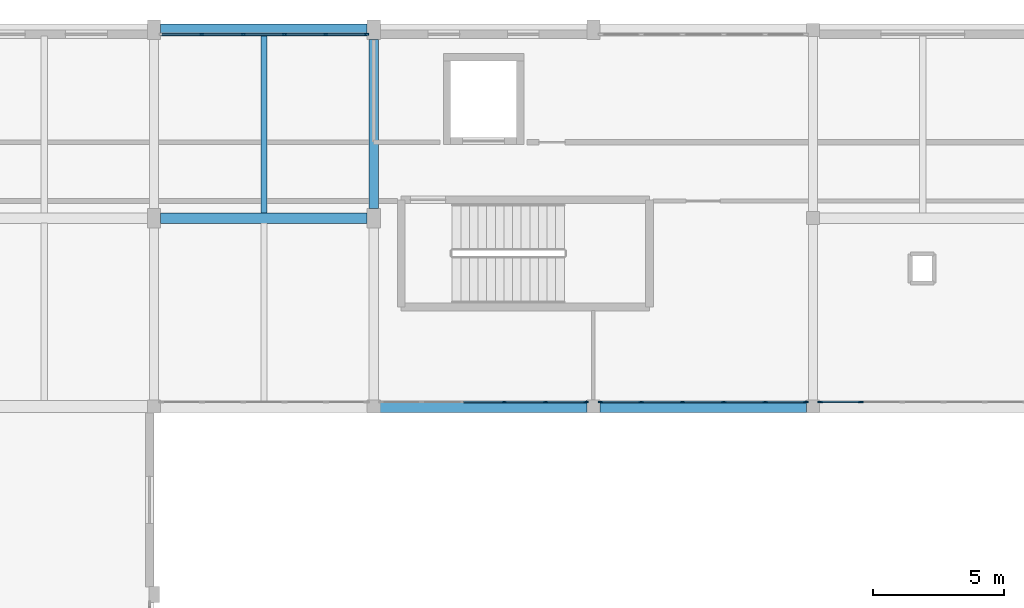
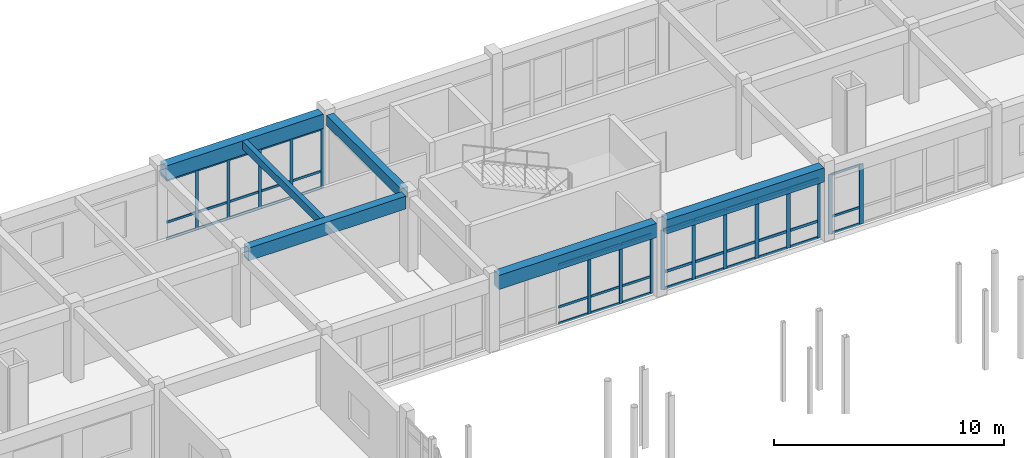
# One storey, part 49 of 89: 58 members, 6 beams, 4 elements without a shape of their own.
"""IFC4 building model written with IfcOpenShell, lengths in metres."""

from ifc_helpers import new_model, si_unit, direction, frame, origin, origin_2d, place, context, subcontext, project, spatial, rectangle, extrude, material, material_profile, profile_set, type_object, element, aggregate, save


model = new_model("IFC4")

# Units and contexts
model_context = context("Model", 3, precision=1e-05, world=origin(), true_north=direction((0.0, 1.0)))
body_context = subcontext(model_context, "Body", "Model", "MODEL_VIEW")
ifc_project = project(units=[si_unit("LENGTHUNIT", "METRE"), si_unit("AREAUNIT", "SQUARE_METRE"), si_unit("VOLUMEUNIT", "CUBIC_METRE"), si_unit("PLANEANGLEUNIT", "RADIAN"), si_unit("MASSUNIT", "GRAM", prefix="KILO")], contexts=[model_context])

# Site, building, storey
site_placement = place(None, origin())
site = spatial("IfcSite", under=ifc_project, at=site_placement, CompositionType="ELEMENT")
building_placement = place(site_placement, origin())
building = spatial("IfcBuilding", under=site, at=building_placement, Name="Malvenik Polytechnic", CompositionType="ELEMENT")
storey_placement = place(building_placement, frame((0.0, 0.0, 13.5)))
storey = spatial("IfcBuildingStorey", under=building, at=storey_placement, Name="L03", CompositionType="ELEMENT", Elevation=13.5)

# Curtain wall, members
ifc_material_1 = material(Name="Anodised aluminium 6060-T6", Category="aluminium")
curtain_wall_type = type_object("IfcCurtainWallType", Name="ARC-CW-CW-02", PredefinedType="NOTDEFINED", material=ifc_material_1)
curtain_wall_1_placement = place(storey_placement, origin())
curtain_wall_1 = element("IfcCurtainWall", 1, at=curtain_wall_1_placement, inside=storey, type_object=curtain_wall_type, Name="Unitised Curtain Wall CW-02 L03 #179", PredefinedType="NOTDEFINED")
ifc_material_2 = material(Name="Anodised aluminium", Category="aluminium")
ifc_material_profile_1 = material_profile(ifc_material_2, rectangle(XDim=0.06005859375, YDim=0.159912109375, at=origin_2d()), Name="ALU MULLION 60x160")
ifc_profile_set_1 = profile_set([ifc_material_profile_1], Name="Anodised aluminium")
member_type_1 = type_object("IfcMemberType", Name="ARC-CWM-160", PredefinedType="MULLION", material=ifc_profile_set_1)
member_1_placement = place(storey_placement, frame((85.828857421875, 129.429931640625, 0.0), z_axis=(0.0, 0.0, 1.0), x_axis=(0.0, 1.0, 0.0)))
member_1 = element("IfcMember", 2, at=member_1_placement, type_object=member_type_1, Name="CW-02 mullion 2", PredefinedType="MULLION", context=body_context, shape_type="SweptSolid", body=[
    extrude(rectangle(XDim=0.06005859375, YDim=0.159912109375, at=origin_2d()), origin(), (0.0, 0.0, 1.0), 3.159912109375),
])
member_2_placement = place(storey_placement, frame((87.40966796875, 129.429931640625, 0.0), z_axis=(0.0, 0.0, 1.0), x_axis=(0.0, 1.0, 0.0)))
member_2 = element("IfcMember", 3, at=member_2_placement, type_object=member_type_1, Name="CW-02 mullion 3", PredefinedType="MULLION", context=body_context, shape_type="SweptSolid", body=[
    extrude(rectangle(XDim=0.06005859375, YDim=0.159912109375, at=origin_2d()), origin(), (0.0, 0.0, 1.0), 3.159912109375),
])
member_3_placement = place(storey_placement, frame((88.990478515625, 129.429931640625, 0.0), z_axis=(0.0, 0.0, 1.0), x_axis=(0.0, 1.0, 0.0)))
member_3 = element("IfcMember", 4, at=member_3_placement, type_object=member_type_1, Name="CW-02 mullion 4", PredefinedType="MULLION", context=body_context, shape_type="SweptSolid", body=[
    extrude(rectangle(XDim=0.06005859375, YDim=0.159912109375, at=origin_2d()), origin(), (0.0, 0.0, 1.0), 3.159912109375),
])
member_4_placement = place(storey_placement, frame((90.5712890625, 129.429931640625, 0.0), z_axis=(0.0, 0.0, 1.0), x_axis=(0.0, 1.0, 0.0)))
member_4 = element("IfcMember", 5, at=member_4_placement, type_object=member_type_1, Name="CW-02 mullion 5", PredefinedType="MULLION", context=body_context, shape_type="SweptSolid", body=[
    extrude(rectangle(XDim=0.06005859375, YDim=0.159912109375, at=origin_2d()), origin(), (0.0, 0.0, 1.0), 3.159912109375),
])
member_5_placement = place(storey_placement, frame((92.1220703125, 129.429931640625, 0.0), z_axis=(0.0, 0.0, 1.0), x_axis=(0.0, 1.0, 0.0)))
member_5 = element("IfcMember", 6, at=member_5_placement, type_object=member_type_1, Name="CW-02 mullion 6", PredefinedType="MULLION", context=body_context, shape_type="SweptSolid", body=[
    extrude(rectangle(XDim=0.06005859375, YDim=0.159912109375, at=origin_2d()), origin(), (0.0, 0.0, 1.0), 3.159912109375),
])

curtain_wall_2_placement = place(storey_placement, origin())
curtain_wall_2 = element("IfcCurtainWall", 7, at=curtain_wall_2_placement, inside=storey, type_object=curtain_wall_type, Name="Unitised Curtain Wall CW-02 L03 #185", PredefinedType="NOTDEFINED")
member_6_placement = place(storey_placement, frame((100.52197265625, 115.3701171875, 0.0), z_axis=(0.0, 0.0, 1.0), x_axis=(0.0, -1.0, 0.0)))
member_6 = element("IfcMember", 8, at=member_6_placement, type_object=member_type_1, Name="CW-02 mullion 1", PredefinedType="MULLION", context=body_context, shape_type="SweptSolid", body=[
    extrude(rectangle(XDim=0.06005859375, YDim=0.159912109375, at=origin_2d()), origin(), (0.0, 0.0, 1.0), 3.159912109375),
])
member_7_placement = place(storey_placement, frame((98.97119140625, 115.3701171875, 0.0), z_axis=(0.0, 0.0, 1.0), x_axis=(0.0, -1.0, 0.0)))
member_7 = element("IfcMember", 9, at=member_7_placement, type_object=member_type_1, Name="CW-02 mullion 2", PredefinedType="MULLION", context=body_context, shape_type="SweptSolid", body=[
    extrude(rectangle(XDim=0.06005859375, YDim=0.159912109375, at=origin_2d()), origin(), (0.0, 0.0, 1.0), 3.159912109375),
])
member_8_placement = place(storey_placement, frame((97.390380859375, 115.3701171875, 0.0), z_axis=(0.0, 0.0, 1.0), x_axis=(0.0, -1.0, 0.0)))
member_8 = element("IfcMember", 10, at=member_8_placement, type_object=member_type_1, Name="CW-02 mullion 3", PredefinedType="MULLION", context=body_context, shape_type="SweptSolid", body=[
    extrude(rectangle(XDim=0.06005859375, YDim=0.159912109375, at=origin_2d()), origin(), (0.0, 0.0, 1.0), 3.159912109375),
])

curtain_wall_3_placement = place(storey_placement, origin())
curtain_wall_3 = element("IfcCurtainWall", 11, at=curtain_wall_3_placement, inside=storey, type_object=curtain_wall_type, Name="Unitised Curtain Wall CW-02 L03 #184", PredefinedType="NOTDEFINED")
ifc_material_profile_2 = material_profile(ifc_material_2, rectangle(XDim=0.06005859375, YDim=0.179931640625, at=origin_2d()), Name="ALU MULLION 60x180")
ifc_profile_set_2 = profile_set([ifc_material_profile_2], Name="Anodised aluminium")
member_type_2 = type_object("IfcMemberType", Name="ARC-CWM-180", PredefinedType="MULLION", material=ifc_profile_set_2)
member_9_placement = place(storey_placement, frame((108.922119140625, 115.3701171875, 0.0), z_axis=(0.0, 0.0, 1.0), x_axis=(0.0, -1.0, 0.0)))
member_9 = element("IfcMember", 12, at=member_9_placement, type_object=member_type_2, Name="CW-02 mullion 1", PredefinedType="MULLION", context=body_context, shape_type="SweptSolid", body=[
    extrude(rectangle(XDim=0.06005859375, YDim=0.179931640625, at=origin_2d()), origin(), (0.0, 0.0, 1.0), 3.159912109375),
])
member_10_placement = place(storey_placement, frame((107.37109375, 115.3701171875, 0.0), z_axis=(0.0, 0.0, 1.0), x_axis=(0.0, -1.0, 0.0)))
member_10 = element("IfcMember", 13, at=member_10_placement, type_object=member_type_2, Name="CW-02 mullion 2", PredefinedType="MULLION", context=body_context, shape_type="SweptSolid", body=[
    extrude(rectangle(XDim=0.06005859375, YDim=0.179931640625, at=origin_2d()), origin(), (0.0, 0.0, 1.0), 3.159912109375),
])
member_11_placement = place(storey_placement, frame((105.790283203125, 115.3701171875, 0.0), z_axis=(0.0, 0.0, 1.0), x_axis=(0.0, -1.0, 0.0)))
member_11 = element("IfcMember", 14, at=member_11_placement, type_object=member_type_2, Name="CW-02 mullion 3", PredefinedType="MULLION", context=body_context, shape_type="SweptSolid", body=[
    extrude(rectangle(XDim=0.06005859375, YDim=0.179931640625, at=origin_2d()), origin(), (0.0, 0.0, 1.0), 3.159912109375),
])
member_12_placement = place(storey_placement, frame((104.209716796875, 115.3701171875, 0.0), z_axis=(0.0, 0.0, 1.0), x_axis=(0.0, -1.0, 0.0)))
member_12 = element("IfcMember", 15, at=member_12_placement, type_object=member_type_2, Name="CW-02 mullion 4", PredefinedType="MULLION", context=body_context, shape_type="SweptSolid", body=[
    extrude(rectangle(XDim=0.06005859375, YDim=0.179931640625, at=origin_2d()), origin(), (0.0, 0.0, 1.0), 3.159912109375),
])
member_13_placement = place(storey_placement, frame((102.62890625, 115.3701171875, 0.0), z_axis=(0.0, 0.0, 1.0), x_axis=(0.0, -1.0, 0.0)))
member_13 = element("IfcMember", 16, at=member_13_placement, type_object=member_type_2, Name="CW-02 mullion 5", PredefinedType="MULLION", context=body_context, shape_type="SweptSolid", body=[
    extrude(rectangle(XDim=0.06005859375, YDim=0.179931640625, at=origin_2d()), origin(), (0.0, 0.0, 1.0), 3.159912109375),
])
member_14_placement = place(storey_placement, frame((101.077880859375, 115.3701171875, 0.0), z_axis=(0.0, 0.0, 1.0), x_axis=(0.0, -1.0, 0.0)))
member_14 = element("IfcMember", 17, at=member_14_placement, type_object=member_type_2, Name="CW-02 mullion 6", PredefinedType="MULLION", context=body_context, shape_type="SweptSolid", body=[
    extrude(rectangle(XDim=0.06005859375, YDim=0.179931640625, at=origin_2d()), origin(), (0.0, 0.0, 1.0), 3.159912109375),
])

curtain_wall_4_placement = place(storey_placement, origin())
curtain_wall_4 = element("IfcCurtainWall", 18, at=curtain_wall_4_placement, inside=storey, type_object=curtain_wall_type, Name="Unitised Curtain Wall CW-02 L03 #183", PredefinedType="NOTDEFINED")
ifc_material_profile_3 = material_profile(ifc_material_2, rectangle(XDim=0.06005859375, YDim=0.199951171875, at=origin_2d()), Name="ALU MULLION 60x200")
ifc_profile_set_3 = profile_set([ifc_material_profile_3], Name="Anodised aluminium")
member_type_3 = type_object("IfcMemberType", Name="ARC-CWM-200", PredefinedType="MULLION", material=ifc_profile_set_3)
member_15_placement = place(storey_placement, frame((111.02880859375, 115.3701171875, 0.0), z_axis=(0.0, 0.0, 1.0), x_axis=(0.0, -1.0, 0.0)))
member_15 = element("IfcMember", 19, at=member_15_placement, type_object=member_type_3, Name="CW-02 mullion 5", PredefinedType="MULLION", context=body_context, shape_type="SweptSolid", body=[
    extrude(rectangle(XDim=0.06005859375, YDim=0.199951171875, at=origin_2d()), origin(), (0.0, 0.0, 1.0), 3.159912109375),
])
member_16_placement = place(storey_placement, frame((109.47802734375, 115.3701171875, 0.0), z_axis=(0.0, 0.0, 1.0), x_axis=(0.0, -1.0, 0.0)))
member_16 = element("IfcMember", 20, at=member_16_placement, type_object=member_type_3, Name="CW-02 mullion 6", PredefinedType="MULLION", context=body_context, shape_type="SweptSolid", body=[
    extrude(rectangle(XDim=0.06005859375, YDim=0.199951171875, at=origin_2d()), origin(), (0.0, 0.0, 1.0), 3.159912109375),
])

# Member
ifc_material_profile_4 = material_profile(ifc_material_2, rectangle(XDim=0.06005859375, YDim=0.1201171875, at=origin_2d()), Name="ALU TRANSOM 60x120")
ifc_profile_set_4 = profile_set([ifc_material_profile_4], Name="Anodised aluminium")
member_type_4 = type_object("IfcMemberType", Name="ARC-CWT-120", PredefinedType="USERDEFINED", material=ifc_profile_set_4)
member_17_placement = place(storey_placement, frame((84.30810546875, 129.429931640625, 0.030029296875), z_axis=(1.0, 0.0, 0.0), x_axis=(0.0, 1.0, 0.0)))
member_17 = element("IfcMember", 21, at=member_17_placement, type_object=member_type_4, Name="CW-02 transom 1.1", ObjectType="TRANSOM", PredefinedType="USERDEFINED", context=body_context, shape_type="SweptSolid", body=[
    extrude(rectangle(XDim=0.06005859375, YDim=0.1201171875, at=origin_2d()), origin(), (0.0, 0.0, 1.0), 1.49072265625),
])

member_18_placement = place(storey_placement, frame((84.30810546875, 129.429931640625, 0.89990234375), z_axis=(1.0, 0.0, 0.0), x_axis=(0.0, 1.0, 0.0)))
member_18 = element("IfcMember", 22, at=member_18_placement, type_object=member_type_4, Name="CW-02 transom 1.2", ObjectType="TRANSOM", PredefinedType="USERDEFINED", context=body_context, shape_type="SweptSolid", body=[
    extrude(rectangle(XDim=0.06005859375, YDim=0.1201171875, at=origin_2d()), origin(), (0.0, 0.0, 1.0), 1.49072265625),
])

member_19_placement = place(storey_placement, frame((84.30810546875, 129.429931640625, 3.1298828125), z_axis=(1.0, 0.0, 0.0), x_axis=(0.0, 1.0, 0.0)))
member_19 = element("IfcMember", 23, at=member_19_placement, type_object=member_type_4, Name="CW-02 transom 1.3", ObjectType="TRANSOM", PredefinedType="USERDEFINED", context=body_context, shape_type="SweptSolid", body=[
    extrude(rectangle(XDim=0.06005859375, YDim=0.1201171875, at=origin_2d()), origin(), (0.0, 0.0, 1.0), 1.49072265625),
])

member_20_placement = place(storey_placement, frame((85.85888671875, 129.429931640625, 0.030029296875), z_axis=(1.0, 0.0, 0.0), x_axis=(0.0, 1.0, 0.0)))
member_20 = element("IfcMember", 24, at=member_20_placement, type_object=member_type_4, Name="CW-02 transom 2.1", ObjectType="TRANSOM", PredefinedType="USERDEFINED", context=body_context, shape_type="SweptSolid", body=[
    extrude(rectangle(XDim=0.06005859375, YDim=0.1201171875, at=origin_2d()), origin(), (0.0, 0.0, 1.0), 1.520751953125),
])

member_21_placement = place(storey_placement, frame((85.85888671875, 129.429931640625, 0.89990234375), z_axis=(1.0, 0.0, 0.0), x_axis=(0.0, 1.0, 0.0)))
member_21 = element("IfcMember", 25, at=member_21_placement, type_object=member_type_4, Name="CW-02 transom 2.2", ObjectType="TRANSOM", PredefinedType="USERDEFINED", context=body_context, shape_type="SweptSolid", body=[
    extrude(rectangle(XDim=0.06005859375, YDim=0.1201171875, at=origin_2d()), origin(), (0.0, 0.0, 1.0), 1.520751953125),
])

member_22_placement = place(storey_placement, frame((85.85888671875, 129.429931640625, 3.1298828125), z_axis=(1.0, 0.0, 0.0), x_axis=(0.0, 1.0, 0.0)))
member_22 = element("IfcMember", 26, at=member_22_placement, type_object=member_type_4, Name="CW-02 transom 2.3", ObjectType="TRANSOM", PredefinedType="USERDEFINED", context=body_context, shape_type="SweptSolid", body=[
    extrude(rectangle(XDim=0.06005859375, YDim=0.1201171875, at=origin_2d()), origin(), (0.0, 0.0, 1.0), 1.520751953125),
])

member_23_placement = place(storey_placement, frame((87.439697265625, 129.429931640625, 0.030029296875), z_axis=(1.0, 0.0, 0.0), x_axis=(0.0, 1.0, 0.0)))
member_23 = element("IfcMember", 27, at=member_23_placement, type_object=member_type_4, Name="CW-02 transom 3.1", ObjectType="TRANSOM", PredefinedType="USERDEFINED", context=body_context, shape_type="SweptSolid", body=[
    extrude(rectangle(XDim=0.06005859375, YDim=0.1201171875, at=origin_2d()), origin(), (0.0, 0.0, 1.0), 1.520751953125),
])

member_24_placement = place(storey_placement, frame((87.439697265625, 129.429931640625, 0.89990234375), z_axis=(1.0, 0.0, 0.0), x_axis=(0.0, 1.0, 0.0)))
member_24 = element("IfcMember", 28, at=member_24_placement, type_object=member_type_4, Name="CW-02 transom 3.2", ObjectType="TRANSOM", PredefinedType="USERDEFINED", context=body_context, shape_type="SweptSolid", body=[
    extrude(rectangle(XDim=0.06005859375, YDim=0.1201171875, at=origin_2d()), origin(), (0.0, 0.0, 1.0), 1.520751953125),
])

member_25_placement = place(storey_placement, frame((87.439697265625, 129.429931640625, 3.1298828125), z_axis=(1.0, 0.0, 0.0), x_axis=(0.0, 1.0, 0.0)))
member_25 = element("IfcMember", 29, at=member_25_placement, type_object=member_type_4, Name="CW-02 transom 3.3", ObjectType="TRANSOM", PredefinedType="USERDEFINED", context=body_context, shape_type="SweptSolid", body=[
    extrude(rectangle(XDim=0.06005859375, YDim=0.1201171875, at=origin_2d()), origin(), (0.0, 0.0, 1.0), 1.520751953125),
])

member_26_placement = place(storey_placement, frame((89.0205078125, 129.429931640625, 0.030029296875), z_axis=(1.0, 0.0, 0.0), x_axis=(0.0, 1.0, 0.0)))
member_26 = element("IfcMember", 30, at=member_26_placement, type_object=member_type_4, Name="CW-02 transom 4.1", ObjectType="TRANSOM", PredefinedType="USERDEFINED", context=body_context, shape_type="SweptSolid", body=[
    extrude(rectangle(XDim=0.06005859375, YDim=0.1201171875, at=origin_2d()), origin(), (0.0, 0.0, 1.0), 1.520751953125),
])

member_27_placement = place(storey_placement, frame((89.0205078125, 129.429931640625, 0.89990234375), z_axis=(1.0, 0.0, 0.0), x_axis=(0.0, 1.0, 0.0)))
member_27 = element("IfcMember", 31, at=member_27_placement, type_object=member_type_4, Name="CW-02 transom 4.2", ObjectType="TRANSOM", PredefinedType="USERDEFINED", context=body_context, shape_type="SweptSolid", body=[
    extrude(rectangle(XDim=0.06005859375, YDim=0.1201171875, at=origin_2d()), origin(), (0.0, 0.0, 1.0), 1.520751953125),
])

member_28_placement = place(storey_placement, frame((89.0205078125, 129.429931640625, 3.1298828125), z_axis=(1.0, 0.0, 0.0), x_axis=(0.0, 1.0, 0.0)))
member_28 = element("IfcMember", 32, at=member_28_placement, type_object=member_type_4, Name="CW-02 transom 4.3", ObjectType="TRANSOM", PredefinedType="USERDEFINED", context=body_context, shape_type="SweptSolid", body=[
    extrude(rectangle(XDim=0.06005859375, YDim=0.1201171875, at=origin_2d()), origin(), (0.0, 0.0, 1.0), 1.520751953125),
])

member_29_placement = place(storey_placement, frame((90.601318359375, 129.429931640625, 0.030029296875), z_axis=(1.0, 0.0, 0.0), x_axis=(0.0, 1.0, 0.0)))
member_29 = element("IfcMember", 33, at=member_29_placement, type_object=member_type_4, Name="CW-02 transom 5.1", ObjectType="TRANSOM", PredefinedType="USERDEFINED", context=body_context, shape_type="SweptSolid", body=[
    extrude(rectangle(XDim=0.06005859375, YDim=0.1201171875, at=origin_2d()), origin(), (0.0, 0.0, 1.0), 1.49072265625),
])

member_30_placement = place(storey_placement, frame((90.601318359375, 129.429931640625, 0.89990234375), z_axis=(1.0, 0.0, 0.0), x_axis=(0.0, 1.0, 0.0)))
member_30 = element("IfcMember", 34, at=member_30_placement, type_object=member_type_4, Name="CW-02 transom 5.2", ObjectType="TRANSOM", PredefinedType="USERDEFINED", context=body_context, shape_type="SweptSolid", body=[
    extrude(rectangle(XDim=0.06005859375, YDim=0.1201171875, at=origin_2d()), origin(), (0.0, 0.0, 1.0), 1.49072265625),
])

member_31_placement = place(storey_placement, frame((90.601318359375, 129.429931640625, 3.1298828125), z_axis=(1.0, 0.0, 0.0), x_axis=(0.0, 1.0, 0.0)))
member_31 = element("IfcMember", 35, at=member_31_placement, type_object=member_type_4, Name="CW-02 transom 5.3", ObjectType="TRANSOM", PredefinedType="USERDEFINED", context=body_context, shape_type="SweptSolid", body=[
    extrude(rectangle(XDim=0.06005859375, YDim=0.1201171875, at=origin_2d()), origin(), (0.0, 0.0, 1.0), 1.49072265625),
])

aggregate(curtain_wall_1, [member_1, member_2, member_3, member_4, member_5, member_17, member_18, member_19, member_20, member_21, member_22, member_23, member_24, member_25, member_26, member_27, member_28, member_29, member_30, member_31])

member_32_placement = place(storey_placement, frame((110.998779296875, 115.3701171875, 0.030029296875), z_axis=(-1.0, 0.0, 0.0), x_axis=(0.0, -1.0, 0.0)))
member_32 = element("IfcMember", 36, at=member_32_placement, type_object=member_type_4, Name="CW-02 transom 5.1", ObjectType="TRANSOM", PredefinedType="USERDEFINED", context=body_context, shape_type="SweptSolid", body=[
    extrude(rectangle(XDim=0.06005859375, YDim=0.1201171875, at=origin_2d()), origin(), (0.0, 0.0, 1.0), 1.49072265625),
])

member_33_placement = place(storey_placement, frame((110.998779296875, 115.3701171875, 0.89990234375), z_axis=(-1.0, 0.0, 0.0), x_axis=(0.0, -1.0, 0.0)))
member_33 = element("IfcMember", 37, at=member_33_placement, type_object=member_type_4, Name="CW-02 transom 5.2", ObjectType="TRANSOM", PredefinedType="USERDEFINED", context=body_context, shape_type="SweptSolid", body=[
    extrude(rectangle(XDim=0.06005859375, YDim=0.1201171875, at=origin_2d()), origin(), (0.0, 0.0, 1.0), 1.49072265625),
])

member_34_placement = place(storey_placement, frame((110.998779296875, 115.3701171875, 3.1298828125), z_axis=(-1.0, 0.0, 0.0), x_axis=(0.0, -1.0, 0.0)))
member_34 = element("IfcMember", 38, at=member_34_placement, type_object=member_type_4, Name="CW-02 transom 5.3", ObjectType="TRANSOM", PredefinedType="USERDEFINED", context=body_context, shape_type="SweptSolid", body=[
    extrude(rectangle(XDim=0.06005859375, YDim=0.1201171875, at=origin_2d()), origin(), (0.0, 0.0, 1.0), 1.49072265625),
])

aggregate(curtain_wall_4, [member_15, member_16, member_32, member_33, member_34])

member_35_placement = place(storey_placement, frame((100.491943359375, 115.3701171875, 0.030029296875), z_axis=(-1.0, 0.0, 0.0), x_axis=(0.0, -1.0, 0.0)))
member_35 = element("IfcMember", 39, at=member_35_placement, type_object=member_type_4, Name="CW-02 transom 1.1", ObjectType="TRANSOM", PredefinedType="USERDEFINED", context=body_context, shape_type="SweptSolid", body=[
    extrude(rectangle(XDim=0.06005859375, YDim=0.1201171875, at=origin_2d()), origin(), (0.0, 0.0, 1.0), 1.49072265625),
])

member_36_placement = place(storey_placement, frame((100.491943359375, 115.3701171875, 0.89990234375), z_axis=(-1.0, 0.0, 0.0), x_axis=(0.0, -1.0, 0.0)))
member_36 = element("IfcMember", 40, at=member_36_placement, type_object=member_type_4, Name="CW-02 transom 1.2", ObjectType="TRANSOM", PredefinedType="USERDEFINED", context=body_context, shape_type="SweptSolid", body=[
    extrude(rectangle(XDim=0.06005859375, YDim=0.1201171875, at=origin_2d()), origin(), (0.0, 0.0, 1.0), 1.49072265625),
])

member_37_placement = place(storey_placement, frame((100.491943359375, 115.3701171875, 3.1298828125), z_axis=(-1.0, 0.0, 0.0), x_axis=(0.0, -1.0, 0.0)))
member_37 = element("IfcMember", 41, at=member_37_placement, type_object=member_type_4, Name="CW-02 transom 1.3", ObjectType="TRANSOM", PredefinedType="USERDEFINED", context=body_context, shape_type="SweptSolid", body=[
    extrude(rectangle(XDim=0.06005859375, YDim=0.1201171875, at=origin_2d()), origin(), (0.0, 0.0, 1.0), 1.49072265625),
])

member_38_placement = place(storey_placement, frame((98.941162109375, 115.3701171875, 0.030029296875), z_axis=(-1.0, 0.0, 0.0), x_axis=(0.0, -1.0, 0.0)))
member_38 = element("IfcMember", 42, at=member_38_placement, type_object=member_type_4, Name="CW-02 transom 2.1", ObjectType="TRANSOM", PredefinedType="USERDEFINED", context=body_context, shape_type="SweptSolid", body=[
    extrude(rectangle(XDim=0.06005859375, YDim=0.1201171875, at=origin_2d()), origin(), (0.0, 0.0, 1.0), 1.520751953125),
])

member_39_placement = place(storey_placement, frame((98.941162109375, 115.3701171875, 0.89990234375), z_axis=(-1.0, 0.0, 0.0), x_axis=(0.0, -1.0, 0.0)))
member_39 = element("IfcMember", 43, at=member_39_placement, type_object=member_type_4, Name="CW-02 transom 2.2", ObjectType="TRANSOM", PredefinedType="USERDEFINED", context=body_context, shape_type="SweptSolid", body=[
    extrude(rectangle(XDim=0.06005859375, YDim=0.1201171875, at=origin_2d()), origin(), (0.0, 0.0, 1.0), 1.520751953125),
])

member_40_placement = place(storey_placement, frame((98.941162109375, 115.3701171875, 3.1298828125), z_axis=(-1.0, 0.0, 0.0), x_axis=(0.0, -1.0, 0.0)))
member_40 = element("IfcMember", 44, at=member_40_placement, type_object=member_type_4, Name="CW-02 transom 2.3", ObjectType="TRANSOM", PredefinedType="USERDEFINED", context=body_context, shape_type="SweptSolid", body=[
    extrude(rectangle(XDim=0.06005859375, YDim=0.1201171875, at=origin_2d()), origin(), (0.0, 0.0, 1.0), 1.520751953125),
])

member_41_placement = place(storey_placement, frame((97.3603515625, 115.3701171875, 0.030029296875), z_axis=(-1.0, 0.0, 0.0), x_axis=(0.0, -1.0, 0.0)))
member_41 = element("IfcMember", 45, at=member_41_placement, type_object=member_type_4, Name="CW-02 transom 3.1", ObjectType="TRANSOM", PredefinedType="USERDEFINED", context=body_context, shape_type="SweptSolid", body=[
    extrude(rectangle(XDim=0.06005859375, YDim=0.1201171875, at=origin_2d()), origin(), (0.0, 0.0, 1.0), 1.520751953125),
])

member_42_placement = place(storey_placement, frame((97.3603515625, 115.3701171875, 0.89990234375), z_axis=(-1.0, 0.0, 0.0), x_axis=(0.0, -1.0, 0.0)))
member_42 = element("IfcMember", 46, at=member_42_placement, type_object=member_type_4, Name="CW-02 transom 3.2", ObjectType="TRANSOM", PredefinedType="USERDEFINED", context=body_context, shape_type="SweptSolid", body=[
    extrude(rectangle(XDim=0.06005859375, YDim=0.1201171875, at=origin_2d()), origin(), (0.0, 0.0, 1.0), 1.520751953125),
])

member_43_placement = place(storey_placement, frame((97.3603515625, 115.3701171875, 3.1298828125), z_axis=(-1.0, 0.0, 0.0), x_axis=(0.0, -1.0, 0.0)))
member_43 = element("IfcMember", 47, at=member_43_placement, type_object=member_type_4, Name="CW-02 transom 3.3", ObjectType="TRANSOM", PredefinedType="USERDEFINED", context=body_context, shape_type="SweptSolid", body=[
    extrude(rectangle(XDim=0.06005859375, YDim=0.1201171875, at=origin_2d()), origin(), (0.0, 0.0, 1.0), 1.520751953125),
])

aggregate(curtain_wall_2, [member_6, member_7, member_8, member_35, member_36, member_37, member_38, member_39, member_40, member_41, member_42, member_43])

ifc_material_profile_5 = material_profile(ifc_material_2, rectangle(XDim=0.06005859375, YDim=0.139892578125, at=origin_2d()), Name="ALU TRANSOM 60x140")
ifc_profile_set_5 = profile_set([ifc_material_profile_5], Name="Anodised aluminium")
member_type_5 = type_object("IfcMemberType", Name="ARC-CWT-140", PredefinedType="USERDEFINED", material=ifc_profile_set_5)
member_44_placement = place(storey_placement, frame((108.89208984375, 115.3701171875, 0.030029296875), z_axis=(-1.0, 0.0, 0.0), x_axis=(0.0, -1.0, 0.0)))
member_44 = element("IfcMember", 48, at=member_44_placement, type_object=member_type_5, Name="CW-02 transom 1.1", ObjectType="TRANSOM", PredefinedType="USERDEFINED", context=body_context, shape_type="SweptSolid", body=[
    extrude(rectangle(XDim=0.06005859375, YDim=0.139892578125, at=origin_2d()), origin(), (0.0, 0.0, 1.0), 1.490966796875),
])

member_45_placement = place(storey_placement, frame((108.89208984375, 115.3701171875, 0.89990234375), z_axis=(-1.0, 0.0, 0.0), x_axis=(0.0, -1.0, 0.0)))
member_45 = element("IfcMember", 49, at=member_45_placement, type_object=member_type_5, Name="CW-02 transom 1.2", ObjectType="TRANSOM", PredefinedType="USERDEFINED", context=body_context, shape_type="SweptSolid", body=[
    extrude(rectangle(XDim=0.06005859375, YDim=0.139892578125, at=origin_2d()), origin(), (0.0, 0.0, 1.0), 1.490966796875),
])

member_46_placement = place(storey_placement, frame((108.89208984375, 115.3701171875, 3.1298828125), z_axis=(-1.0, 0.0, 0.0), x_axis=(0.0, -1.0, 0.0)))
member_46 = element("IfcMember", 50, at=member_46_placement, type_object=member_type_5, Name="CW-02 transom 1.3", ObjectType="TRANSOM", PredefinedType="USERDEFINED", context=body_context, shape_type="SweptSolid", body=[
    extrude(rectangle(XDim=0.06005859375, YDim=0.139892578125, at=origin_2d()), origin(), (0.0, 0.0, 1.0), 1.490966796875),
])

member_47_placement = place(storey_placement, frame((107.34130859375, 115.3701171875, 0.030029296875), z_axis=(-1.0, 0.0, 0.0), x_axis=(0.0, -1.0, 0.0)))
member_47 = element("IfcMember", 51, at=member_47_placement, type_object=member_type_5, Name="CW-02 transom 2.1", ObjectType="TRANSOM", PredefinedType="USERDEFINED", context=body_context, shape_type="SweptSolid", body=[
    extrude(rectangle(XDim=0.06005859375, YDim=0.139892578125, at=origin_2d()), origin(), (0.0, 0.0, 1.0), 1.52099609375),
])

member_48_placement = place(storey_placement, frame((107.34130859375, 115.3701171875, 0.89990234375), z_axis=(-1.0, 0.0, 0.0), x_axis=(0.0, -1.0, 0.0)))
member_48 = element("IfcMember", 52, at=member_48_placement, type_object=member_type_5, Name="CW-02 transom 2.2", ObjectType="TRANSOM", PredefinedType="USERDEFINED", context=body_context, shape_type="SweptSolid", body=[
    extrude(rectangle(XDim=0.06005859375, YDim=0.139892578125, at=origin_2d()), origin(), (0.0, 0.0, 1.0), 1.52099609375),
])

member_49_placement = place(storey_placement, frame((107.34130859375, 115.3701171875, 3.1298828125), z_axis=(-1.0, 0.0, 0.0), x_axis=(0.0, -1.0, 0.0)))
member_49 = element("IfcMember", 53, at=member_49_placement, type_object=member_type_5, Name="CW-02 transom 2.3", ObjectType="TRANSOM", PredefinedType="USERDEFINED", context=body_context, shape_type="SweptSolid", body=[
    extrude(rectangle(XDim=0.06005859375, YDim=0.139892578125, at=origin_2d()), origin(), (0.0, 0.0, 1.0), 1.52099609375),
])

member_50_placement = place(storey_placement, frame((105.760498046875, 115.3701171875, 0.030029296875), z_axis=(-1.0, 0.0, 0.0), x_axis=(0.0, -1.0, 0.0)))
member_50 = element("IfcMember", 54, at=member_50_placement, type_object=member_type_5, Name="CW-02 transom 3.1", ObjectType="TRANSOM", PredefinedType="USERDEFINED", context=body_context, shape_type="SweptSolid", body=[
    extrude(rectangle(XDim=0.06005859375, YDim=0.139892578125, at=origin_2d()), origin(), (0.0, 0.0, 1.0), 1.52099609375),
])

member_51_placement = place(storey_placement, frame((105.760498046875, 115.3701171875, 0.89990234375), z_axis=(-1.0, 0.0, 0.0), x_axis=(0.0, -1.0, 0.0)))
member_51 = element("IfcMember", 55, at=member_51_placement, type_object=member_type_5, Name="CW-02 transom 3.2", ObjectType="TRANSOM", PredefinedType="USERDEFINED", context=body_context, shape_type="SweptSolid", body=[
    extrude(rectangle(XDim=0.06005859375, YDim=0.139892578125, at=origin_2d()), origin(), (0.0, 0.0, 1.0), 1.52099609375),
])

member_52_placement = place(storey_placement, frame((105.760498046875, 115.3701171875, 3.1298828125), z_axis=(-1.0, 0.0, 0.0), x_axis=(0.0, -1.0, 0.0)))
member_52 = element("IfcMember", 56, at=member_52_placement, type_object=member_type_5, Name="CW-02 transom 3.3", ObjectType="TRANSOM", PredefinedType="USERDEFINED", context=body_context, shape_type="SweptSolid", body=[
    extrude(rectangle(XDim=0.06005859375, YDim=0.139892578125, at=origin_2d()), origin(), (0.0, 0.0, 1.0), 1.52099609375),
])

member_53_placement = place(storey_placement, frame((104.1796875, 115.3701171875, 0.030029296875), z_axis=(-1.0, 0.0, 0.0), x_axis=(0.0, -1.0, 0.0)))
member_53 = element("IfcMember", 57, at=member_53_placement, type_object=member_type_5, Name="CW-02 transom 4.1", ObjectType="TRANSOM", PredefinedType="USERDEFINED", context=body_context, shape_type="SweptSolid", body=[
    extrude(rectangle(XDim=0.06005859375, YDim=0.139892578125, at=origin_2d()), origin(), (0.0, 0.0, 1.0), 1.52099609375),
])

member_54_placement = place(storey_placement, frame((104.1796875, 115.3701171875, 0.89990234375), z_axis=(-1.0, 0.0, 0.0), x_axis=(0.0, -1.0, 0.0)))
member_54 = element("IfcMember", 58, at=member_54_placement, type_object=member_type_5, Name="CW-02 transom 4.2", ObjectType="TRANSOM", PredefinedType="USERDEFINED", context=body_context, shape_type="SweptSolid", body=[
    extrude(rectangle(XDim=0.06005859375, YDim=0.139892578125, at=origin_2d()), origin(), (0.0, 0.0, 1.0), 1.52099609375),
])

member_55_placement = place(storey_placement, frame((104.1796875, 115.3701171875, 3.1298828125), z_axis=(-1.0, 0.0, 0.0), x_axis=(0.0, -1.0, 0.0)))
member_55 = element("IfcMember", 59, at=member_55_placement, type_object=member_type_5, Name="CW-02 transom 4.3", ObjectType="TRANSOM", PredefinedType="USERDEFINED", context=body_context, shape_type="SweptSolid", body=[
    extrude(rectangle(XDim=0.06005859375, YDim=0.139892578125, at=origin_2d()), origin(), (0.0, 0.0, 1.0), 1.52099609375),
])

member_56_placement = place(storey_placement, frame((102.598876953125, 115.3701171875, 0.030029296875), z_axis=(-1.0, 0.0, 0.0), x_axis=(0.0, -1.0, 0.0)))
member_56 = element("IfcMember", 60, at=member_56_placement, type_object=member_type_5, Name="CW-02 transom 5.1", ObjectType="TRANSOM", PredefinedType="USERDEFINED", context=body_context, shape_type="SweptSolid", body=[
    extrude(rectangle(XDim=0.06005859375, YDim=0.139892578125, at=origin_2d()), origin(), (0.0, 0.0, 1.0), 1.490966796875),
])

member_57_placement = place(storey_placement, frame((102.598876953125, 115.3701171875, 0.89990234375), z_axis=(-1.0, 0.0, 0.0), x_axis=(0.0, -1.0, 0.0)))
member_57 = element("IfcMember", 61, at=member_57_placement, type_object=member_type_5, Name="CW-02 transom 5.2", ObjectType="TRANSOM", PredefinedType="USERDEFINED", context=body_context, shape_type="SweptSolid", body=[
    extrude(rectangle(XDim=0.06005859375, YDim=0.139892578125, at=origin_2d()), origin(), (0.0, 0.0, 1.0), 1.490966796875),
])

member_58_placement = place(storey_placement, frame((102.598876953125, 115.3701171875, 3.1298828125), z_axis=(-1.0, 0.0, 0.0), x_axis=(0.0, -1.0, 0.0)))
member_58 = element("IfcMember", 62, at=member_58_placement, type_object=member_type_5, Name="CW-02 transom 5.3", ObjectType="TRANSOM", PredefinedType="USERDEFINED", context=body_context, shape_type="SweptSolid", body=[
    extrude(rectangle(XDim=0.06005859375, YDim=0.139892578125, at=origin_2d()), origin(), (0.0, 0.0, 1.0), 1.490966796875),
])

aggregate(curtain_wall_3, [member_9, member_10, member_11, member_12, member_13, member_14, member_44, member_45, member_46, member_47, member_48, member_49, member_50, member_51, member_52, member_53, member_54, member_55, member_56, member_57, member_58])

# Beams
ifc_material_3 = material(Name="Concrete C35/45", Category="concrete")
ifc_material_profile_6 = material_profile(ifc_material_3, rectangle(XDim=0.39990234375, YDim=0.679931640625, at=origin_2d()), Name="RC BM 400x680")
ifc_profile_set_6 = profile_set([ifc_material_profile_6], Name="Concrete C35/45")
beam_type_1 = type_object("IfcBeamType", Name="STR-BM-B-05", PredefinedType="BEAM", material=ifc_profile_set_6)
beam_1_placement = place(storey_placement, frame((84.248046875, 122.39990234375, 3.580078125), z_axis=(1.0, 0.0, 0.0), x_axis=(0.0, 1.0, 0.0)))
element("IfcBeam", 63, at=beam_1_placement, inside=storey, type_object=beam_type_1, Name="Primary Beam B-05 L03 #1699", PredefinedType="BEAM", context=body_context, shape_type="SweptSolid", body=[
    extrude(rectangle(XDim=0.39990234375, YDim=0.679931640625, at=origin_2d()), origin(), (0.0, 0.0, 1.0), 7.904052734375),
])
ifc_material_profile_7 = material_profile(ifc_material_3, rectangle(XDim=0.35009765625, YDim=0.550048828125, at=origin_2d()), Name="RC BM 350x550")
ifc_profile_set_7 = profile_set([ifc_material_profile_7], Name="Concrete C35/45")
beam_type_2 = type_object("IfcBeamType", Name="STR-BM-B-08", PredefinedType="BEAM", material=ifc_profile_set_7)
beam_2_placement = place(storey_placement, frame((92.39990234375, 122.77294921875, 3.64501953125), z_axis=(0.0, 1.0, 0.0), x_axis=(-1.0, 0.0, 0.0)))
element("IfcBeam", 64, at=beam_2_placement, inside=storey, type_object=beam_type_2, Name="Transverse Beam B-08 L03 #1765", PredefinedType="BEAM", context=body_context, shape_type="SweptSolid", body=[
    extrude(rectangle(XDim=0.35009765625, YDim=0.550048828125, at=origin_2d()), origin(), (0.0, 0.0, 1.0), 6.4541015625),
])
ifc_material_4 = material(Name="Concrete C30/37", Category="concrete")
ifc_material_profile_8 = material_profile(ifc_material_4, rectangle(XDim=0.239990234375, YDim=0.419921875, at=origin_2d()), Name="RC JST 240x420")
ifc_profile_set_8 = profile_set([ifc_material_profile_8], Name="Concrete C30/37")
beam_type_3 = type_object("IfcBeamType", Name="STR-BM-J-03", PredefinedType="JOIST", material=ifc_profile_set_8)
beam_3_placement = place(storey_placement, frame((88.199951171875, 122.597900390625, 3.7099609375), z_axis=(0.0, 1.0, 0.0), x_axis=(-1.0, 0.0, 0.0)))
element("IfcBeam", 65, at=beam_3_placement, inside=storey, type_object=beam_type_3, Name="Secondary Rib Joist J-03 L03 #1812", PredefinedType="JOIST", context=body_context, shape_type="SweptSolid", body=[
    extrude(rectangle(XDim=0.239990234375, YDim=0.419921875, at=origin_2d()), origin(), (0.0, 0.0, 1.0), 6.774169921875),
])
ifc_material_5 = material(Name="Precast concrete C40/50", Category="concrete")
ifc_material_profile_9 = material_profile(ifc_material_5, rectangle(XDim=0.4599609375, YDim=0.75, at=origin_2d()), Name="PC SPN 460x750")
ifc_profile_set_9 = profile_set([ifc_material_profile_9], Name="Precast concrete C40/50")
beam_type_4 = type_object("IfcBeamType", Name="STR-BM-SP-02", PredefinedType="SPANDREL", material=ifc_profile_set_9)
beam_4_placement = place(storey_placement, frame((92.64794921875, 115.199951171875, 3.544921875), z_axis=(1.0, 0.0, 0.0), x_axis=(0.0, 1.0, 0.0)))
element("IfcBeam", 66, at=beam_4_placement, inside=storey, type_object=beam_type_4, Name="Primary Beam SP-02 L03 #1688", PredefinedType="SPANDREL", context=body_context, shape_type="SweptSolid", body=[
    extrude(rectangle(XDim=0.4599609375, YDim=0.75, at=origin_2d()), origin(), (0.0, 0.0, 1.0), 7.904052734375),
])
beam_5_placement = place(storey_placement, frame((101.048095703125, 115.199951171875, 3.544921875), z_axis=(1.0, 0.0, 0.0), x_axis=(0.0, 1.0, 0.0)))
element("IfcBeam", 67, at=beam_5_placement, inside=storey, type_object=beam_type_4, Name="Primary Beam SP-02 L03 #1689", PredefinedType="SPANDREL", context=body_context, shape_type="SweptSolid", body=[
    extrude(rectangle(XDim=0.4599609375, YDim=0.75, at=origin_2d()), origin(), (0.0, 0.0, 1.0), 7.90380859375),
])
beam_6_placement = place(storey_placement, frame((84.248046875, 129.60009765625, 3.544921875), z_axis=(1.0, 0.0, 0.0), x_axis=(0.0, 1.0, 0.0)))
element("IfcBeam", 68, at=beam_6_placement, inside=storey, type_object=beam_type_4, Name="Primary Beam SP-02 L03 #1713", PredefinedType="SPANDREL", context=body_context, shape_type="SweptSolid", body=[
    extrude(rectangle(XDim=0.4599609375, YDim=0.75, at=origin_2d()), origin(), (0.0, 0.0, 1.0), 7.904052734375),
])

save(model, "model.ifc")
